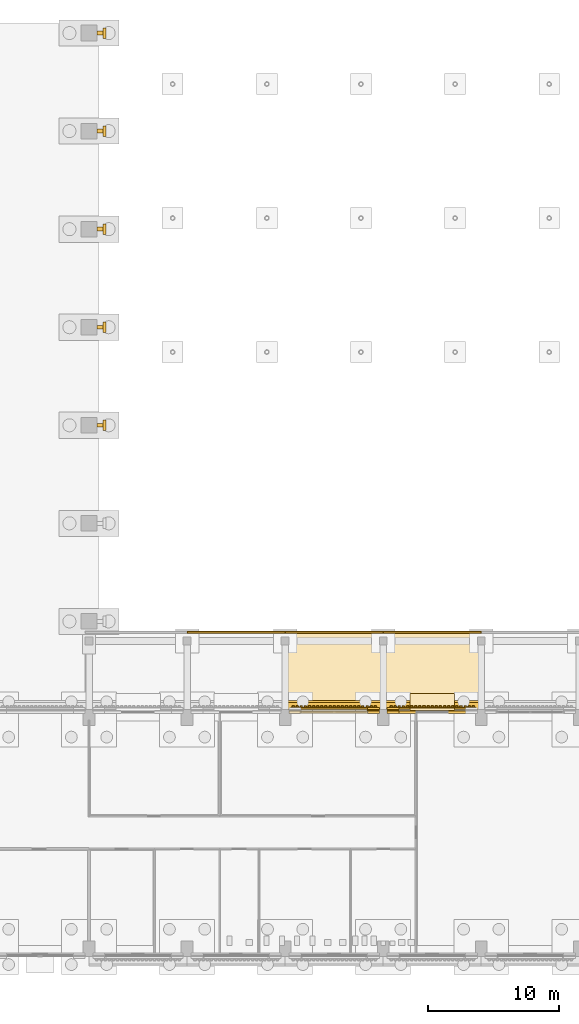
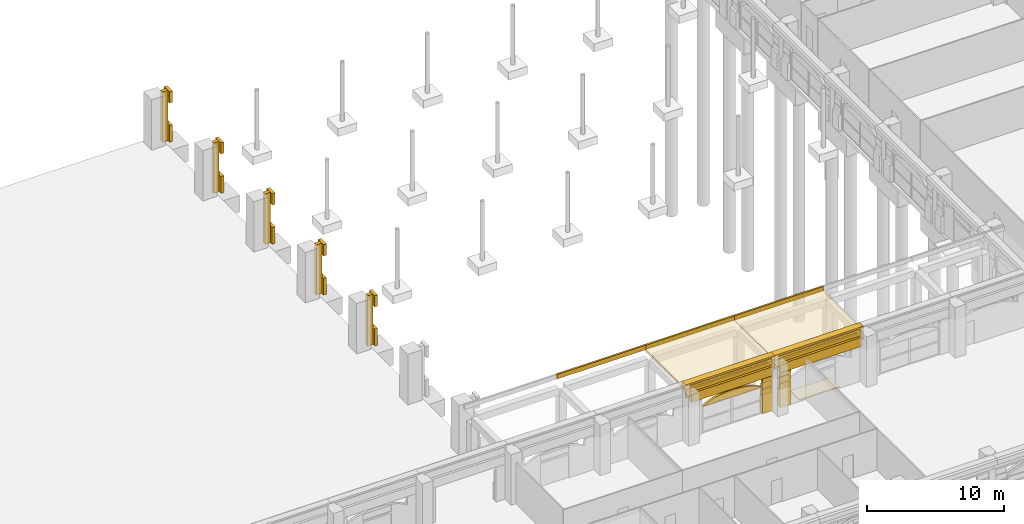
# One storey, part 79 of 99: 36 coverings, 1 element without a shape of its own.
"""IFC4 building model written with IfcOpenShell, lengths in metres."""

from ifc_helpers import new_model, si_unit, direction, frame, origin, place, context, subcontext, project, spatial, polyline, outline, extrude, material, layer, layer_set, type_object, element, aggregate, save


model = new_model("IFC4")

# Units and contexts
model_context = context("Model", 3, precision=1e-05, world=origin(), true_north=direction((0.0, 1.0)))
body_context = subcontext(model_context, "Body", "Model", "MODEL_VIEW")
ifc_project = project(units=[si_unit("LENGTHUNIT", "METRE"), si_unit("AREAUNIT", "SQUARE_METRE"), si_unit("VOLUMEUNIT", "CUBIC_METRE"), si_unit("PLANEANGLEUNIT", "RADIAN"), si_unit("MASSUNIT", "GRAM", prefix="KILO")], contexts=[model_context])

# Site, building, storey
site_placement = place(None, origin())
site = spatial("IfcSite", under=ifc_project, at=site_placement, CompositionType="ELEMENT")
building_placement = place(site_placement, origin())
building = spatial("IfcBuilding", under=site, at=building_placement, Name="Cour d'Honneur Mobility Palace", CompositionType="ELEMENT")
storey_placement = place(building_placement, origin())
storey = spatial("IfcBuildingStorey", under=building, at=storey_placement, Name="L00", CompositionType="ELEMENT", Elevation=0.0)

# Roof, coverings
ifc_material_1 = material(Name="Concrete C50", Category="concrete")
ifc_layer_1 = layer(ifc_material_1, 0.199951171875)
ifc_layer_set_1 = layer_set([ifc_layer_1], Name="Concrete C50")
roof_type = type_object("IfcRoofType", Name="Arcade canopy", PredefinedType="FLAT_ROOF", material=ifc_layer_set_1)
roof_placement = place(storey_placement, origin())
roof = element("IfcRoof", 1, at=roof_placement, inside=storey, type_object=roof_type, Name="Arcade canopy E", PredefinedType="FLAT_ROOF")
ifc_material_2 = material(Name="Concrete C50", Category="concrete")
ifc_layer_2 = layer(ifc_material_2, 0.199951171875)
ifc_layer_set_2 = layer_set([ifc_layer_2], Name="Concrete C50")
covering_type_1 = type_object("IfcCoveringType", Name="Arcade canopy slab 200", PredefinedType="ROOFING", material=ifc_layer_set_2)
covering_1_placement = place(storey_placement, frame((0.0, 0.0, 4.0)))
covering_1 = element("IfcCovering", 2, at=covering_1_placement, type_object=covering_type_1, Name="Arcade canopy slab AS-E3", PredefinedType="ROOFING", context=body_context, shape_type="SweptSolid", body=[
    extrude(outline(polyline([(114.89990234375, 63.14990234375), (122.39990234375, 63.14990234375), (122.39990234375, 69.14990234375), (114.89990234375, 69.14990234375), (114.89990234375, 63.14990234375)])), origin(), (0.0, 0.0, 1.0), 0.199951171875),
])
covering_2_placement = place(storey_placement, frame((0.0, 0.0, 4.0)))
covering_2 = element("IfcCovering", 3, at=covering_2_placement, type_object=covering_type_1, Name="Arcade canopy slab AS-E4", PredefinedType="ROOFING", context=body_context, shape_type="SweptSolid", body=[
    extrude(outline(polyline([(122.39990234375, 63.14990234375), (129.89990234375, 63.14990234375), (129.89990234375, 69.14990234375), (122.39990234375, 69.14990234375), (122.39990234375, 63.14990234375)])), origin(), (0.0, 0.0, 1.0), 0.199951171875),
])
ifc_material_3 = material(Name="Concrete C50", Category="concrete")
ifc_layer_3 = layer(ifc_material_3, 0.14990234375)
ifc_layer_set_3 = layer_set([ifc_layer_3], Name="Concrete C50")
covering_type_2 = type_object("IfcCoveringType", Name="Arcade parapet 400", PredefinedType="CLADDING", material=ifc_layer_set_3)
covering_3_placement = place(storey_placement, frame((0.0, 0.0, 4.199951171875)))
covering_3 = element("IfcCovering", 4, at=covering_3_placement, type_object=covering_type_2, Name="Arcade parapet AP-E2", PredefinedType="CLADDING", context=body_context, shape_type="SweptSolid", body=[
    extrude(outline(polyline([(107.39990234375, 69.0), (114.89990234375, 69.0), (114.89990234375, 69.14990234375), (107.39990234375, 69.14990234375), (107.39990234375, 69.0)])), origin(), (0.0, 0.0, 1.0), 0.400146484375),
])
covering_4_placement = place(storey_placement, frame((0.0, 0.0, 4.199951171875)))
covering_4 = element("IfcCovering", 5, at=covering_4_placement, type_object=covering_type_2, Name="Arcade parapet AP-E3", PredefinedType="CLADDING", context=body_context, shape_type="SweptSolid", body=[
    extrude(outline(polyline([(114.89990234375, 69.0), (122.39990234375, 69.0), (122.39990234375, 69.14990234375), (114.89990234375, 69.14990234375), (114.89990234375, 69.0)])), origin(), (0.0, 0.0, 1.0), 0.400146484375),
])
covering_5_placement = place(storey_placement, frame((0.0, 0.0, 4.199951171875)))
covering_5 = element("IfcCovering", 6, at=covering_5_placement, type_object=covering_type_2, Name="Arcade parapet AP-E4", PredefinedType="CLADDING", context=body_context, shape_type="SweptSolid", body=[
    extrude(outline(polyline([(122.39990234375, 69.0), (129.89990234375, 69.0), (129.89990234375, 69.14990234375), (122.39990234375, 69.14990234375), (122.39990234375, 69.0)])), origin(), (0.0, 0.0, 1.0), 0.400146484375),
])
aggregate(roof, [covering_3, covering_1, covering_4, covering_2, covering_5])

# Coverings
ifc_material_4 = material(Name="Cast limestone", Category="masonry")
ifc_layer_4 = layer(ifc_material_4, 0.199951171875)
ifc_layer_set_4 = layer_set([ifc_layer_4], Name="Cast limestone")
covering_type_3 = type_object("IfcCoveringType", Name="Arch tympanum panel", PredefinedType="CLADDING", material=ifc_layer_set_4)
covering_6_placement = place(storey_placement, frame((121.199951171875, 63.050048828125, 2.39990234375), z_axis=(0.0, 1.0, 0.0), x_axis=(-1.0, 0.0, 0.0)))
element("IfcCovering", 7, at=covering_6_placement, inside=storey, type_object=covering_type_3, Name="Arch tympanum panel TP-8", PredefinedType="CLADDING", context=body_context, shape_type="SweptSolid", body=[
    extrude(outline(polyline([(0.0, 0.0), (5.099853515625, 0.0), (5.099853515625, 0.0), (4.78125, 0.160400390625), (4.46240234375, 0.294921875), (4.143798828125, 0.406005859375), (3.824951171875, 0.495361328125), (3.506103515625, 0.5634765625), (3.1875, 0.61181640625), (2.86865234375, 0.640625), (2.550048828125, 0.650146484375), (2.231201171875, 0.640625), (1.912353515625, 0.61181640625), (1.59375, 0.5634765625), (1.27490234375, 0.495361328125), (0.956298828125, 0.406005859375), (0.637451171875, 0.294921875), (0.318603515625, 0.160400390625), (0.0, 0.0), (0.0, 0.0)])), origin(), (0.0, 0.0, -1.0), 0.199951171875),
])
ifc_material_5 = material(Name="Cast limestone", Category="masonry")
ifc_layer_5 = layer(ifc_material_5, 0.14990234375)
ifc_layer_set_5 = layer_set([ifc_layer_5], Name="Cast limestone")
covering_type_4 = type_object("IfcCoveringType", Name="Dentil course", PredefinedType="CLADDING", material=ifc_layer_set_5)
covering_7_placement = place(storey_placement, frame((0.0, 0.0, 3.949951171875)))
element("IfcCovering", 8, at=covering_7_placement, inside=storey, type_object=covering_type_4, Name="Dentil course DC-40", PredefinedType="CLADDING", context=body_context, shape_type="SweptSolid", body=[
    extrude(outline(polyline([(129.449951171875, 63.300048828125), (122.85009765625, 63.300048828125), (122.85009765625, 63.330078125), (122.85009765625, 63.330078125), (122.928466796875, 63.330078125), (122.928466796875, 63.449951171875), (123.085693359375, 63.449951171875), (123.085693359375, 63.330078125), (123.164306640625, 63.330078125), (123.164306640625, 63.330078125), (123.242919921875, 63.330078125), (123.242919921875, 63.449951171875), (123.39990234375, 63.449951171875), (123.39990234375, 63.330078125), (123.478515625, 63.330078125), (123.478515625, 63.330078125), (123.55712890625, 63.330078125), (123.55712890625, 63.449951171875), (123.71435546875, 63.449951171875), (123.71435546875, 63.330078125), (123.79296875, 63.330078125), (123.79296875, 63.330078125), (123.871337890625, 63.330078125), (123.871337890625, 63.449951171875), (124.028564453125, 63.449951171875), (124.028564453125, 63.330078125), (124.107177734375, 63.330078125), (124.107177734375, 63.330078125), (124.185791015625, 63.330078125), (124.185791015625, 63.449951171875), (124.3427734375, 63.449951171875), (124.3427734375, 63.330078125), (124.42138671875, 63.330078125), (124.42138671875, 63.330078125), (124.5, 63.330078125), (124.5, 63.449951171875), (124.6572265625, 63.449951171875), (124.6572265625, 63.330078125), (124.735595703125, 63.330078125), (124.735595703125, 63.330078125), (124.814208984375, 63.330078125), (124.814208984375, 63.449951171875), (124.971435546875, 63.449951171875), (124.971435546875, 63.330078125), (125.050048828125, 63.330078125), (125.050048828125, 63.330078125), (125.128662109375, 63.330078125), (125.128662109375, 63.449951171875), (125.28564453125, 63.449951171875), (125.28564453125, 63.330078125), (125.3642578125, 63.330078125), (125.3642578125, 63.330078125), (125.44287109375, 63.330078125), (125.44287109375, 63.449951171875), (125.60009765625, 63.449951171875), (125.60009765625, 63.330078125), (125.678466796875, 63.330078125), (125.678466796875, 63.330078125), (125.757080078125, 63.330078125), (125.757080078125, 63.449951171875), (125.914306640625, 63.449951171875), (125.914306640625, 63.330078125), (125.992919921875, 63.330078125), (125.992919921875, 63.330078125), (126.071533203125, 63.330078125), (126.071533203125, 63.449951171875), (126.228515625, 63.449951171875), (126.228515625, 63.330078125), (126.30712890625, 63.330078125), (126.30712890625, 63.330078125), (126.3857421875, 63.330078125), (126.3857421875, 63.449951171875), (126.54296875, 63.449951171875), (126.54296875, 63.330078125), (126.621337890625, 63.330078125), (126.621337890625, 63.330078125), (126.699951171875, 63.330078125), (126.699951171875, 63.449951171875), (126.857177734375, 63.449951171875), (126.857177734375, 63.330078125), (126.935791015625, 63.330078125), (126.935791015625, 63.330078125), (127.014404296875, 63.330078125), (127.014404296875, 63.449951171875), (127.17138671875, 63.449951171875), (127.17138671875, 63.330078125), (127.25, 63.330078125), (127.25, 63.330078125), (127.32861328125, 63.330078125), (127.32861328125, 63.449951171875), (127.485595703125, 63.449951171875), (127.485595703125, 63.330078125), (127.564208984375, 63.330078125), (127.564208984375, 63.330078125), (127.642822265625, 63.330078125), (127.642822265625, 63.449951171875), (127.800048828125, 63.449951171875), (127.800048828125, 63.330078125), (127.878662109375, 63.330078125), (127.878662109375, 63.330078125), (127.95703125, 63.330078125), (127.95703125, 63.449951171875), (128.1142578125, 63.449951171875), (128.1142578125, 63.330078125), (128.19287109375, 63.330078125), (128.19287109375, 63.330078125), (128.271484375, 63.330078125), (128.271484375, 63.449951171875), (128.428466796875, 63.449951171875), (128.428466796875, 63.330078125), (128.507080078125, 63.330078125), (128.507080078125, 63.330078125), (128.585693359375, 63.330078125), (128.585693359375, 63.449951171875), (128.742919921875, 63.449951171875), (128.742919921875, 63.330078125), (128.821533203125, 63.330078125), (128.821533203125, 63.330078125), (128.89990234375, 63.330078125), (128.89990234375, 63.449951171875), (129.05712890625, 63.449951171875), (129.05712890625, 63.330078125), (129.1357421875, 63.330078125), (129.1357421875, 63.330078125), (129.21435546875, 63.330078125), (129.21435546875, 63.449951171875), (129.371337890625, 63.449951171875), (129.371337890625, 63.330078125), (129.449951171875, 63.330078125), (129.449951171875, 63.300048828125)])), origin(), (0.0, 0.0, 1.0), 0.150146484375),
])
covering_8_placement = place(storey_placement, frame((0.0, 0.0, 3.949951171875)))
element("IfcCovering", 9, at=covering_8_placement, inside=storey, type_object=covering_type_4, Name="Dentil course DC-41", PredefinedType="CLADDING", context=body_context, shape_type="SweptSolid", body=[
    extrude(outline(polyline([(121.949951171875, 63.300048828125), (115.35009765625, 63.300048828125), (115.35009765625, 63.330078125), (115.35009765625, 63.330078125), (115.428466796875, 63.330078125), (115.428466796875, 63.449951171875), (115.585693359375, 63.449951171875), (115.585693359375, 63.330078125), (115.664306640625, 63.330078125), (115.664306640625, 63.330078125), (115.742919921875, 63.330078125), (115.742919921875, 63.449951171875), (115.89990234375, 63.449951171875), (115.89990234375, 63.330078125), (115.978515625, 63.330078125), (115.978515625, 63.330078125), (116.05712890625, 63.330078125), (116.05712890625, 63.449951171875), (116.21435546875, 63.449951171875), (116.21435546875, 63.330078125), (116.29296875, 63.330078125), (116.29296875, 63.330078125), (116.371337890625, 63.330078125), (116.371337890625, 63.449951171875), (116.528564453125, 63.449951171875), (116.528564453125, 63.330078125), (116.607177734375, 63.330078125), (116.607177734375, 63.330078125), (116.685791015625, 63.330078125), (116.685791015625, 63.449951171875), (116.8427734375, 63.449951171875), (116.8427734375, 63.330078125), (116.92138671875, 63.330078125), (116.92138671875, 63.330078125), (117.0, 63.330078125), (117.0, 63.449951171875), (117.1572265625, 63.449951171875), (117.1572265625, 63.330078125), (117.235595703125, 63.330078125), (117.235595703125, 63.330078125), (117.314208984375, 63.330078125), (117.314208984375, 63.449951171875), (117.471435546875, 63.449951171875), (117.471435546875, 63.330078125), (117.550048828125, 63.330078125), (117.550048828125, 63.330078125), (117.628662109375, 63.330078125), (117.628662109375, 63.449951171875), (117.78564453125, 63.449951171875), (117.78564453125, 63.330078125), (117.8642578125, 63.330078125), (117.8642578125, 63.330078125), (117.94287109375, 63.330078125), (117.94287109375, 63.449951171875), (118.10009765625, 63.449951171875), (118.10009765625, 63.330078125), (118.178466796875, 63.330078125), (118.178466796875, 63.330078125), (118.257080078125, 63.330078125), (118.257080078125, 63.449951171875), (118.414306640625, 63.449951171875), (118.414306640625, 63.330078125), (118.492919921875, 63.330078125), (118.492919921875, 63.330078125), (118.571533203125, 63.330078125), (118.571533203125, 63.449951171875), (118.728515625, 63.449951171875), (118.728515625, 63.330078125), (118.80712890625, 63.330078125), (118.80712890625, 63.330078125), (118.8857421875, 63.330078125), (118.8857421875, 63.449951171875), (119.04296875, 63.449951171875), (119.04296875, 63.330078125), (119.121337890625, 63.330078125), (119.121337890625, 63.330078125), (119.199951171875, 63.330078125), (119.199951171875, 63.449951171875), (119.357177734375, 63.449951171875), (119.357177734375, 63.330078125), (119.435791015625, 63.330078125), (119.435791015625, 63.330078125), (119.514404296875, 63.330078125), (119.514404296875, 63.449951171875), (119.67138671875, 63.449951171875), (119.67138671875, 63.330078125), (119.75, 63.330078125), (119.75, 63.330078125), (119.82861328125, 63.330078125), (119.82861328125, 63.449951171875), (119.985595703125, 63.449951171875), (119.985595703125, 63.330078125), (120.064208984375, 63.330078125), (120.064208984375, 63.330078125), (120.142822265625, 63.330078125), (120.142822265625, 63.449951171875), (120.300048828125, 63.449951171875), (120.300048828125, 63.330078125), (120.378662109375, 63.330078125), (120.378662109375, 63.330078125), (120.45703125, 63.330078125), (120.45703125, 63.449951171875), (120.6142578125, 63.449951171875), (120.6142578125, 63.330078125), (120.69287109375, 63.330078125), (120.69287109375, 63.330078125), (120.771484375, 63.330078125), (120.771484375, 63.449951171875), (120.928466796875, 63.449951171875), (120.928466796875, 63.330078125), (121.007080078125, 63.330078125), (121.007080078125, 63.330078125), (121.085693359375, 63.330078125), (121.085693359375, 63.449951171875), (121.242919921875, 63.449951171875), (121.242919921875, 63.330078125), (121.321533203125, 63.330078125), (121.321533203125, 63.330078125), (121.39990234375, 63.330078125), (121.39990234375, 63.449951171875), (121.55712890625, 63.449951171875), (121.55712890625, 63.330078125), (121.6357421875, 63.330078125), (121.6357421875, 63.330078125), (121.71435546875, 63.330078125), (121.71435546875, 63.449951171875), (121.871337890625, 63.449951171875), (121.871337890625, 63.330078125), (121.949951171875, 63.330078125), (121.949951171875, 63.300048828125)])), origin(), (0.0, 0.0, 1.0), 0.150146484375),
])
ifc_material_6 = material(Name="Cast limestone", Category="masonry")
ifc_layer_6 = layer(ifc_material_6, 0.699951171875)
ifc_layer_set_6 = layer_set([ifc_layer_6], Name="Cast limestone")
covering_type_5 = type_object("IfcCoveringType", Name="Entablature", PredefinedType="CLADDING", material=ifc_layer_set_6)
for number, where, z_axis, x_axis, name in (
    (10, (129.89990234375, 63.14990234375, 3.39990234375), (1.0, 0.0, 0.0), (0.0, 1.0, 0.0), "Entablature EN-40"),
    (11, (122.39990234375, 63.14990234375, 3.39990234375), (1.0, 0.0, 0.0), (0.0, 1.0, 0.0), "Entablature EN-41"),
):
    element("IfcCovering", number, at=place(storey_placement, frame(where, z_axis=z_axis, x_axis=x_axis)), inside=storey, type_object=covering_type_5, Name=name, PredefinedType="CLADDING", context=body_context, shape_type="SweptSolid", body=[
        extrude(outline(polyline([(0.0, 0.0), (0.150146484375, 0.0), (0.150146484375, 0.7001953125), (0.7001953125, 0.7001953125), (0.7001953125, 1.10009765625), (0.550048828125, 1.2001953125), (0.0, 1.2001953125), (0.0, 0.0)])), origin(), (0.0, 0.0, -1.0), 7.5),
    ])
ifc_material_7 = material(Name="Granite paving", Category="masonry")
ifc_layer_7 = layer(ifc_material_7, 0.10009765625)
ifc_layer_set_7 = layer_set([ifc_layer_7], Name="Granite paving")
covering_type_6 = type_object("IfcCoveringType", Name="Entrance paving", PredefinedType="FLOORING", material=ifc_layer_set_7)
covering_9_placement = place(storey_placement, frame((0.0, 0.0, -0.10009765625)))
element("IfcCovering", 12, at=covering_9_placement, inside=storey, type_object=covering_type_6, Name="Entrance paving PV-15", PredefinedType="FLOORING", context=body_context, shape_type="SweptSolid", body=[
    extrude(outline(polyline([(127.85009765625, 63.050048828125), (124.449951171875, 63.050048828125), (124.449951171875, 64.39990234375), (127.85009765625, 64.39990234375), (127.85009765625, 63.050048828125)])), origin(), (0.0, 0.0, 1.0), 0.10009765625),
])
ifc_material_8 = material(Name="Cast limestone", Category="masonry")
ifc_layer_8 = layer(ifc_material_8, 0.300048828125)
ifc_layer_set_8 = layer_set([ifc_layer_8], Name="Cast limestone")
covering_type_7 = type_object("IfcCoveringType", Name="Pier fin", PredefinedType="CLADDING", material=ifc_layer_set_8)
covering_10_placement = place(storey_placement, origin())
element("IfcCovering", 13, at=covering_10_placement, inside=storey, type_object=covering_type_7, Name="Pier fin HP-E4 L00", PredefinedType="CLADDING", context=body_context, shape_type="SweptSolid", body=[
    extrude(outline(polyline([(100.5, 84.75), (100.949951171875, 84.75), (100.949951171875, 85.050048828125), (100.5, 85.050048828125), (100.5, 84.75)])), origin(), (0.0, 0.0, 1.0), 4.5),
])
covering_11_placement = place(storey_placement, origin())
element("IfcCovering", 14, at=covering_11_placement, inside=storey, type_object=covering_type_7, Name="Pier fin HP-E5 L00", PredefinedType="CLADDING", context=body_context, shape_type="SweptSolid", body=[
    extrude(outline(polyline([(100.5, 92.25), (100.949951171875, 92.25), (100.949951171875, 92.550048828125), (100.5, 92.550048828125), (100.5, 92.25)])), origin(), (0.0, 0.0, 1.0), 4.5),
])
covering_12_placement = place(storey_placement, origin())
element("IfcCovering", 15, at=covering_12_placement, inside=storey, type_object=covering_type_7, Name="Pier fin HP-E6 L00", PredefinedType="CLADDING", context=body_context, shape_type="SweptSolid", body=[
    extrude(outline(polyline([(100.5, 99.75), (100.949951171875, 99.75), (100.949951171875, 100.050048828125), (100.5, 100.050048828125), (100.5, 99.75)])), origin(), (0.0, 0.0, 1.0), 4.5),
])
covering_13_placement = place(storey_placement, origin())
element("IfcCovering", 16, at=covering_13_placement, inside=storey, type_object=covering_type_7, Name="Pier fin HP-E7 L00", PredefinedType="CLADDING", context=body_context, shape_type="SweptSolid", body=[
    extrude(outline(polyline([(100.5, 107.25), (100.949951171875, 107.25), (100.949951171875, 107.550048828125), (100.5, 107.550048828125), (100.5, 107.25)])), origin(), (0.0, 0.0, 1.0), 4.5),
])
covering_14_placement = place(storey_placement, origin())
element("IfcCovering", 17, at=covering_14_placement, inside=storey, type_object=covering_type_7, Name="Pier fin HP-E8 L00", PredefinedType="CLADDING", context=body_context, shape_type="SweptSolid", body=[
    extrude(outline(polyline([(100.5, 114.75), (100.949951171875, 114.75), (100.949951171875, 115.050048828125), (100.5, 115.050048828125), (100.5, 114.75)])), origin(), (0.0, 0.0, 1.0), 4.5),
])
ifc_material_9 = material(Name="Cast limestone", Category="masonry")
ifc_layer_9 = layer(ifc_material_9, 0.14990234375)
ifc_layer_set_9 = layer_set([ifc_layer_9], Name="Cast limestone")
covering_type_8 = type_object("IfcCoveringType", Name="Pilaster base", PredefinedType="CLADDING", material=ifc_layer_set_9)
covering_15_placement = place(storey_placement, origin())
element("IfcCovering", 18, at=covering_15_placement, inside=storey, type_object=covering_type_8, Name="Hall pilaster base HP-E4", PredefinedType="CLADDING", context=body_context, shape_type="SweptSolid", body=[
    extrude(outline(polyline([(100.949951171875, 84.5), (101.199951171875, 84.5), (101.199951171875, 85.300048828125), (100.949951171875, 85.300048828125), (100.949951171875, 84.5)])), origin(), (0.0, 0.0, 1.0), 1.5),
])
covering_16_placement = place(storey_placement, origin())
element("IfcCovering", 19, at=covering_16_placement, inside=storey, type_object=covering_type_8, Name="Hall pilaster base HP-E5", PredefinedType="CLADDING", context=body_context, shape_type="SweptSolid", body=[
    extrude(outline(polyline([(100.949951171875, 92.0), (101.199951171875, 92.0), (101.199951171875, 92.800048828125), (100.949951171875, 92.800048828125), (100.949951171875, 92.0)])), origin(), (0.0, 0.0, 1.0), 1.5),
])
covering_17_placement = place(storey_placement, origin())
element("IfcCovering", 20, at=covering_17_placement, inside=storey, type_object=covering_type_8, Name="Hall pilaster base HP-E6", PredefinedType="CLADDING", context=body_context, shape_type="SweptSolid", body=[
    extrude(outline(polyline([(100.949951171875, 99.5), (101.199951171875, 99.5), (101.199951171875, 100.300048828125), (100.949951171875, 100.300048828125), (100.949951171875, 99.5)])), origin(), (0.0, 0.0, 1.0), 1.5),
])
covering_18_placement = place(storey_placement, origin())
element("IfcCovering", 21, at=covering_18_placement, inside=storey, type_object=covering_type_8, Name="Hall pilaster base HP-E7", PredefinedType="CLADDING", context=body_context, shape_type="SweptSolid", body=[
    extrude(outline(polyline([(100.949951171875, 107.0), (101.199951171875, 107.0), (101.199951171875, 107.800048828125), (100.949951171875, 107.800048828125), (100.949951171875, 107.0)])), origin(), (0.0, 0.0, 1.0), 1.5),
])
covering_19_placement = place(storey_placement, origin())
element("IfcCovering", 22, at=covering_19_placement, inside=storey, type_object=covering_type_8, Name="Hall pilaster base HP-E8", PredefinedType="CLADDING", context=body_context, shape_type="SweptSolid", body=[
    extrude(outline(polyline([(100.949951171875, 114.5), (101.199951171875, 114.5), (101.199951171875, 115.300048828125), (100.949951171875, 115.300048828125), (100.949951171875, 114.5)])), origin(), (0.0, 0.0, 1.0), 1.5),
])
ifc_material_10 = material(Name="Cast limestone", Category="masonry")
ifc_layer_10 = layer(ifc_material_10, 0.1201171875)
ifc_layer_set_10 = layer_set([ifc_layer_10], Name="Cast limestone")
covering_type_9 = type_object("IfcCoveringType", Name="Pilaster capital", PredefinedType="CLADDING", material=ifc_layer_set_10)
covering_20_placement = place(storey_placement, frame((0.0, 0.0, 3.5)))
element("IfcCovering", 23, at=covering_20_placement, inside=storey, type_object=covering_type_9, Name="Hall pilaster capital HP-E4", PredefinedType="CLADDING", context=body_context, shape_type="SweptSolid", body=[
    extrude(outline(polyline([(100.949951171875, 84.5), (101.199951171875, 84.5), (101.199951171875, 85.300048828125), (100.949951171875, 85.300048828125), (100.949951171875, 84.5)])), origin(), (0.0, 0.0, 1.0), 1.0),
])
covering_21_placement = place(storey_placement, frame((0.0, 0.0, 3.5)))
element("IfcCovering", 24, at=covering_21_placement, inside=storey, type_object=covering_type_9, Name="Hall pilaster capital HP-E5", PredefinedType="CLADDING", context=body_context, shape_type="SweptSolid", body=[
    extrude(outline(polyline([(100.949951171875, 92.0), (101.199951171875, 92.0), (101.199951171875, 92.800048828125), (100.949951171875, 92.800048828125), (100.949951171875, 92.0)])), origin(), (0.0, 0.0, 1.0), 1.0),
])
covering_22_placement = place(storey_placement, frame((0.0, 0.0, 3.5)))
element("IfcCovering", 25, at=covering_22_placement, inside=storey, type_object=covering_type_9, Name="Hall pilaster capital HP-E6", PredefinedType="CLADDING", context=body_context, shape_type="SweptSolid", body=[
    extrude(outline(polyline([(100.949951171875, 99.5), (101.199951171875, 99.5), (101.199951171875, 100.300048828125), (100.949951171875, 100.300048828125), (100.949951171875, 99.5)])), origin(), (0.0, 0.0, 1.0), 1.0),
])
covering_23_placement = place(storey_placement, frame((0.0, 0.0, 3.5)))
element("IfcCovering", 26, at=covering_23_placement, inside=storey, type_object=covering_type_9, Name="Hall pilaster capital HP-E7", PredefinedType="CLADDING", context=body_context, shape_type="SweptSolid", body=[
    extrude(outline(polyline([(100.949951171875, 107.0), (101.199951171875, 107.0), (101.199951171875, 107.800048828125), (100.949951171875, 107.800048828125), (100.949951171875, 107.0)])), origin(), (0.0, 0.0, 1.0), 1.0),
])
covering_24_placement = place(storey_placement, frame((0.0, 0.0, 3.5)))
element("IfcCovering", 27, at=covering_24_placement, inside=storey, type_object=covering_type_9, Name="Hall pilaster capital HP-E8", PredefinedType="CLADDING", context=body_context, shape_type="SweptSolid", body=[
    extrude(outline(polyline([(100.949951171875, 114.5), (101.199951171875, 114.5), (101.199951171875, 115.300048828125), (100.949951171875, 115.300048828125), (100.949951171875, 114.5)])), origin(), (0.0, 0.0, 1.0), 1.0),
])
ifc_material_11 = material(Name="Cast limestone", Category="masonry")
ifc_layer_11 = layer(ifc_material_11, 0.25)
ifc_layer_set_11 = layer_set([ifc_layer_11], Name="Cast limestone")
covering_type_10 = type_object("IfcCoveringType", Name="Plinth course", PredefinedType="CLADDING", material=ifc_layer_set_11)
covering_25_placement = place(storey_placement, origin())
element("IfcCovering", 28, at=covering_25_placement, inside=storey, type_object=covering_type_10, Name="Plinth course PI-144", PredefinedType="CLADDING", context=body_context, shape_type="SweptSolid", body=[
    extrude(outline(polyline([(123.60009765625, 63.050048828125), (122.699951171875, 63.050048828125), (122.699951171875, 63.300048828125), (123.60009765625, 63.300048828125), (123.60009765625, 63.050048828125)])), origin(), (0.0, 0.0, 1.0), 1.5),
])
covering_26_placement = place(storey_placement, origin())
element("IfcCovering", 29, at=covering_26_placement, inside=storey, type_object=covering_type_10, Name="Plinth course PI-145", PredefinedType="CLADDING", context=body_context, shape_type="SweptSolid", body=[
    extrude(outline(polyline([(122.10009765625, 63.050048828125), (121.199951171875, 63.050048828125), (121.199951171875, 63.300048828125), (122.10009765625, 63.300048828125), (122.10009765625, 63.050048828125)])), origin(), (0.0, 0.0, 1.0), 1.5),
])
ifc_material_12 = material(Name="Cast limestone", Category="masonry")
ifc_layer_12 = layer(ifc_material_12, 0.199951171875)
ifc_layer_set_12 = layer_set([ifc_layer_12], Name="Cast limestone")
covering_type_11 = type_object("IfcCoveringType", Name="Rusticated jamb panel", PredefinedType="CLADDING", material=ifc_layer_set_12)
for number, where, z_axis, x_axis, name in (
    (30, (123.60009765625, 63.050048828125, 0.0), (0.0, 1.0, 0.0), (-1.0, 0.0, 0.0), "Rusticated jamb panel RP-117"),
    (31, (122.10009765625, 63.050048828125, 0.0), (0.0, 1.0, 0.0), (-1.0, 0.0, 0.0), "Rusticated jamb panel RP-118"),
):
    element("IfcCovering", number, at=place(storey_placement, frame(where, z_axis=z_axis, x_axis=x_axis)), inside=storey, type_object=covering_type_11, Name=name, PredefinedType="CLADDING", context=body_context, shape_type="SweptSolid", body=[
        extrude(outline(polyline([(0.0, 0.0), (0.900146484375, 0.0), (0.900146484375, 3.10009765625), (0.0, 3.10009765625), (0.0, 0.0)])), origin(), (0.0, 0.0, -1.0), 0.199951171875),
    ])
ifc_material_13 = material(Name="Cast limestone", Category="masonry")
ifc_layer_13 = layer(ifc_material_13, 0.080078125)
ifc_layer_set_13 = layer_set([ifc_layer_13], Name="Cast limestone")
covering_type_12 = type_object("IfcCoveringType", Name="Rustication course", PredefinedType="CLADDING", material=ifc_layer_set_13)
for number, where, name in (
    (32, (0.0, 0.0, 1.5), "Rustication course RC-253"),
    (33, (0.0, 0.0, 2.10009765625), "Rustication course RC-254"),
):
    element("IfcCovering", number, at=place(storey_placement, frame(where)), inside=storey, type_object=covering_type_12, Name=name, PredefinedType="CLADDING", context=body_context, shape_type="SweptSolid", body=[
        extrude(outline(polyline([(123.60009765625, 63.050048828125), (122.699951171875, 63.050048828125), (122.699951171875, 63.1298828125), (123.60009765625, 63.1298828125), (123.60009765625, 63.050048828125)])), origin(), (0.0, 0.0, 1.0), 0.47998046875),
    ])
for number, where, name in (
    (34, (0.0, 0.0, 1.5), "Rustication course RC-255"),
    (35, (0.0, 0.0, 2.10009765625), "Rustication course RC-256"),
):
    element("IfcCovering", number, at=place(storey_placement, frame(where)), inside=storey, type_object=covering_type_12, Name=name, PredefinedType="CLADDING", context=body_context, shape_type="SweptSolid", body=[
        extrude(outline(polyline([(122.10009765625, 63.050048828125), (121.199951171875, 63.050048828125), (121.199951171875, 63.1298828125), (122.10009765625, 63.1298828125), (122.10009765625, 63.050048828125)])), origin(), (0.0, 0.0, 1.0), 0.47998046875),
    ])
ifc_material_14 = material(Name="Cast limestone", Category="masonry")
ifc_layer_14 = layer(ifc_material_14, 0.25)
ifc_layer_set_14 = layer_set([ifc_layer_14], Name="Cast limestone")
covering_type_13 = type_object("IfcCoveringType", Name="Spandrel cladding", PredefinedType="CLADDING", material=ifc_layer_set_14)
for number, where, z_axis, x_axis, name in (
    (36, (129.60009765625, 62.85009765625, 3.10009765625), (1.0, 0.0, 0.0), (0.0, 1.0, 0.0), "Spandrel cladding SK-40"),
    (37, (122.10009765625, 62.85009765625, 3.10009765625), (1.0, 0.0, 0.0), (0.0, 1.0, 0.0), "Spandrel cladding SK-41"),
):
    element("IfcCovering", number, at=place(storey_placement, frame(where, z_axis=z_axis, x_axis=x_axis)), inside=storey, type_object=covering_type_13, Name=name, PredefinedType="CLADDING", context=body_context, shape_type="SweptSolid", body=[
        extrude(outline(polyline([(0.0, 0.0), (0.25, 0.0), (0.25, 1.39990234375), (0.199951171875, 1.39990234375), (0.199951171875, 0.7998046875), (0.0, 0.7998046875), (0.0, 0.0)])), origin(), (0.0, 0.0, -1.0), 6.89990234375),
    ])

save(model, "model.ifc")
